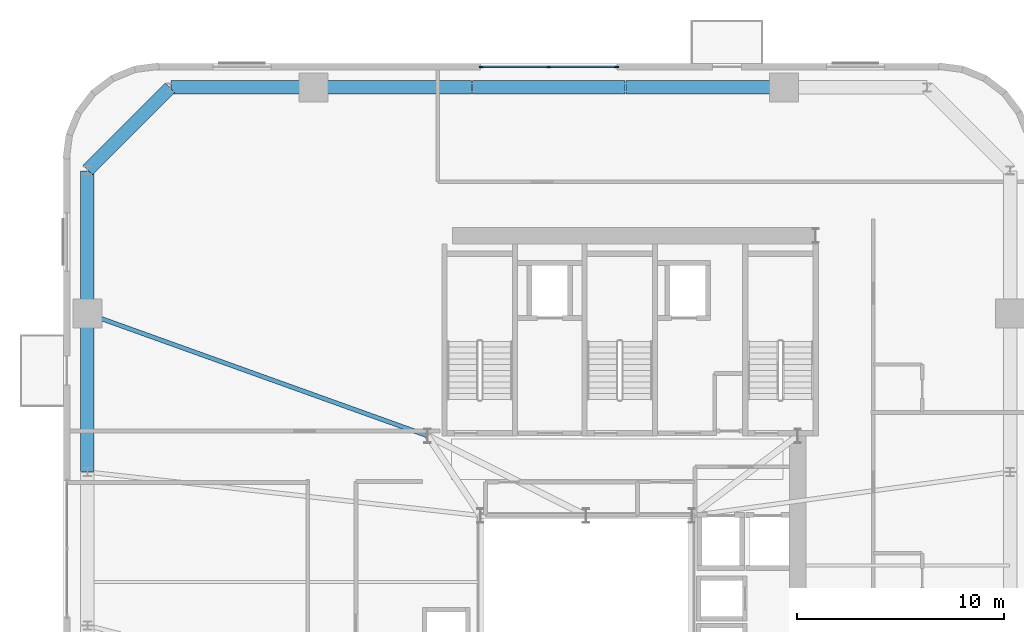
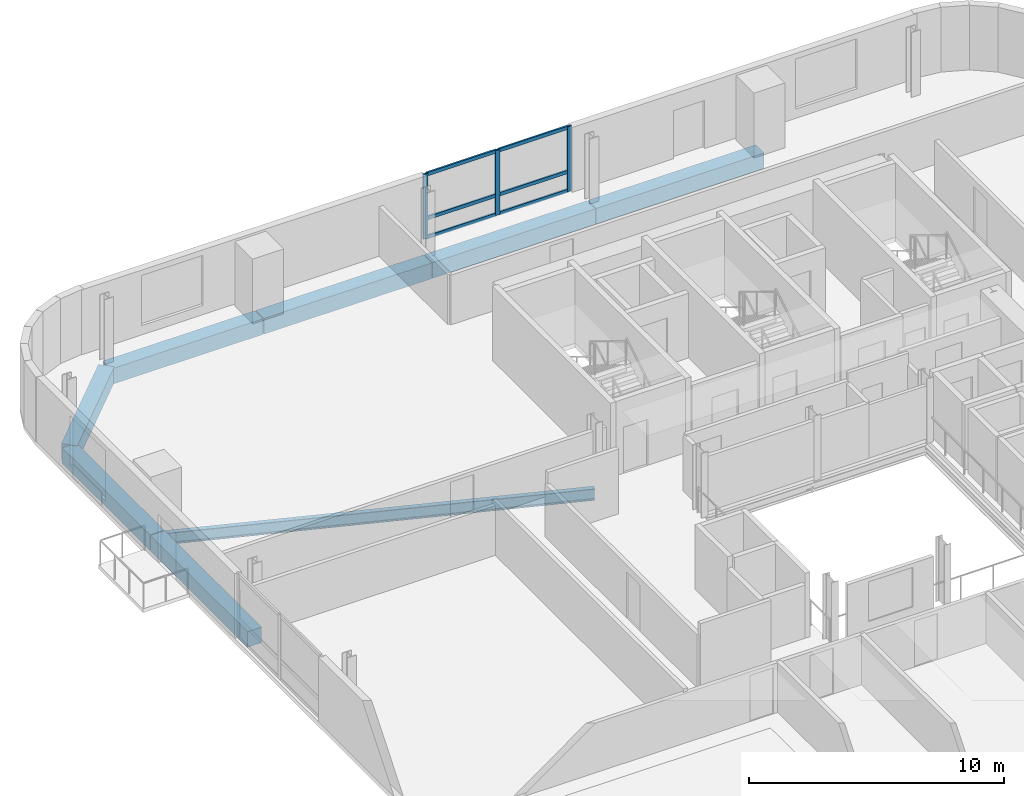
# One storey, part 5 of 13: 9 members, 8 beams, 1 element without a shape of its own.
"""IFC4 building model written with IfcOpenShell, lengths in metres."""

from ifc_helpers import new_model, si_unit, direction, frame, origin, origin_2d, place, context, subcontext, project, spatial, rectangle, i_section, extrude, source, transform, mapped, material, material_profile, profile_set, type_object, element, aggregate, save


model = new_model("IFC4")

# Units and contexts
model_context = context("Model", 3, precision=1e-05, world=origin(), true_north=direction((0.0, 1.0)))
body_context = subcontext(model_context, "Body", "Model", "MODEL_VIEW")
ifc_project = project(units=[si_unit("LENGTHUNIT", "METRE"), si_unit("AREAUNIT", "SQUARE_METRE"), si_unit("VOLUMEUNIT", "CUBIC_METRE"), si_unit("PLANEANGLEUNIT", "RADIAN"), si_unit("MASSUNIT", "GRAM", prefix="KILO")], contexts=[model_context])

# Site, building, storey
site_placement = place(None, origin())
site = spatial("IfcSite", under=ifc_project, at=site_placement, CompositionType="ELEMENT")
building_placement = place(site_placement, origin())
building = spatial("IfcBuilding", under=site, at=building_placement, Name="Vardaveli Station Tower", CompositionType="ELEMENT")
storey_placement = place(building_placement, frame((0.0, 0.0, 233.550048828125)))
storey = spatial("IfcBuildingStorey", under=building, at=storey_placement, Name="L60", CompositionType="ELEMENT", Elevation=233.550048828125)

# Beams
ifc_material_1 = material(Name="Precast concrete C45/55", Category="concrete")
ifc_material_profile_1 = material_profile(ifc_material_1, rectangle(XDim=0.64990234375, YDim=0.75, at=origin_2d()), Name="LPB 650x750")
ifc_profile_set_1 = profile_set([ifc_material_profile_1], Name="Precast concrete C45/55")
beam_type_1 = type_object("IfcBeamType", Name="BM-LPB-750", PredefinedType="BEAM", material=ifc_profile_set_1)
shared_shape_1 = source(origin(), body_context, "Body", "SweptSolid", [
    extrude(rectangle(XDim=0.64990234375, YDim=0.75, at=origin_2d()), origin(), (0.0, 0.0, 1.0), 7.60009765625),
])
for number, where, z_axis, x_axis, name in (
    (1, (45.820068359375, 47.449951171875, -0.594970703125), (-1.0, 0.0, 0.0), (0.0, -1.0, 0.0), "RBM-L60-13"),
    (2, (30.780029296875, 47.449951171875, -0.594970703125), (-1.0, 0.0, 0.0), (0.0, -1.0, 0.0), "RBM-L60-15"),
    (3, (12.25, 36.52001953125, -0.594970703125), (0.0, -1.0, 0.0), (1.0, 0.0, 0.0), "RBM-L60-19"),
):
    element("IfcBeam", number, at=place(storey_placement, frame(where, z_axis=z_axis, x_axis=x_axis)), inside=storey, type_object=beam_type_1, Name=name, PredefinedType="BEAM", context=body_context, shape_type="MappedRepresentation", body=[
        mapped(shared_shape_1, transform((0.0, 0.0, 0.0), scale=1.0)),
    ])
shared_shape_2 = source(origin(), body_context, "Body", "SweptSolid", [
    extrude(rectangle(XDim=0.64990234375, YDim=0.75, at=origin_2d()), origin(), (0.0, 0.0, 1.0), 7.35986328125),
])
beam_1_placement = place(storey_placement, frame((38.179931640625, 47.449951171875, -0.594970703125), z_axis=(-1.0, 0.0, 0.0), x_axis=(0.0, -1.0, 0.0)))
element("IfcBeam", 4, at=beam_1_placement, inside=storey, type_object=beam_type_1, Name="RBM-L60-14", PredefinedType="BEAM", context=body_context, shape_type="MappedRepresentation", body=[
    mapped(shared_shape_2, transform((0.0, 0.0, 0.0), scale=1.0)),
])
shared_shape_3 = source(origin(), body_context, "Body", "SweptSolid", [
    extrude(rectangle(XDim=0.64990234375, YDim=0.75, at=origin_2d()), origin(), (0.0, 0.0, 1.0), 6.869873046875),
])
for number, where, z_axis, x_axis, name in (
    (5, (23.139892578125, 47.449951171875, -0.594970703125), (-1.0, 0.0, 0.0), (0.0, -1.0, 0.0), "RBM-L60-16"),
    (6, (12.25, 43.429931640625, -0.594970703125), (0.0, -1.0, 0.0), (1.0, 0.0, 0.0), "RBM-L60-18"),
):
    element("IfcBeam", number, at=place(storey_placement, frame(where, z_axis=z_axis, x_axis=x_axis)), inside=storey, type_object=beam_type_1, Name=name, PredefinedType="BEAM", context=body_context, shape_type="MappedRepresentation", body=[
        mapped(shared_shape_3, transform((0.0, 0.0, 0.0), scale=1.0)),
    ])
shared_shape_4 = source(origin(), body_context, "Body", "SweptSolid", [
    extrude(rectangle(XDim=0.64990234375, YDim=0.75, at=origin_2d()), origin(), (0.0, 0.0, 1.0), 5.61669921875),
])
beam_2_placement = place(storey_placement, frame((16.23583984375, 47.435791015625, -0.594970703125), z_axis=(-0.707106781187, -0.707106781187, 0.0), x_axis=(0.707106781187, -0.707106781187, 0.0)))
element("IfcBeam", 7, at=beam_2_placement, inside=storey, type_object=beam_type_1, Name="RBM-L60-17", PredefinedType="BEAM", context=body_context, shape_type="MappedRepresentation", body=[
    mapped(shared_shape_4, transform((0.0, 0.0, 0.0), scale=1.0)),
])
ifc_material_2 = material(Name="Structural steel S355J2", Category="steel")
ifc_material_profile_2 = material_profile(ifc_material_2, i_section(OverallWidth=0.2099609375, OverallDepth=0.550048828125, WebThickness=0.010986328125, FlangeThickness=0.01708984375, FilletRadius=0.02392578125, at=origin_2d()), Name="IPE 550")
ifc_profile_set_2 = profile_set([ifc_material_profile_2], Name="Structural steel S355J2")
beam_type_2 = type_object("IfcBeamType", Name="BM-IPE550", PredefinedType="BEAM", material=ifc_profile_set_2)
shared_shape_5 = source(origin(), body_context, "Body", "SweptSolid", [
    extrude(i_section(OverallWidth=0.2099609375, OverallDepth=0.550048828125, WebThickness=0.010986328125, FlangeThickness=0.01708984375, FilletRadius=0.02392578125, at=origin_2d()), origin(), (0.0, 0.0, 1.0), 17.385498046875),
])
beam_3_placement = place(storey_placement, frame((12.268798828125, 36.533203125, -0.4951171875), z_axis=(0.941143134401, -0.338008284766, 0.0), x_axis=(0.338008284766, 0.941143134401, 0.0)))
element("IfcBeam", 8, at=beam_3_placement, inside=storey, type_object=beam_type_2, Name="GBM-L60-12", PredefinedType="BEAM", context=body_context, shape_type="MappedRepresentation", body=[
    mapped(shared_shape_5, transform((0.0, 0.0, 0.0), scale=1.0)),
])

# Curtain wall, members
ifc_material_3 = material(Name="Travertine stone and solar-control glass", Category="masonry")
curtain_wall_type = type_object("IfcCurtainWallType", Name="CW-SYS-5", PredefinedType="NOTDEFINED", material=ifc_material_3)
curtain_wall_placement = place(storey_placement, origin())
curtain_wall = element("IfcCurtainWall", 9, at=curtain_wall_placement, inside=storey, type_object=curtain_wall_type, Name="CW-L60-N", PredefinedType="NOTDEFINED")
ifc_material_4 = material(Name="Anodised aluminium alloy 6063-T6", Category="aluminium")
ifc_material_profile_3 = material_profile(ifc_material_4, rectangle(XDim=0.080078125, YDim=0.1650390625, at=origin_2d()), Name="CWT 80x165")
ifc_profile_set_3 = profile_set([ifc_material_profile_3], Name="Anodised aluminium alloy 6063-T6")
member_type_1 = type_object("IfcMemberType", Name="CW-SYS-5-TRAN", PredefinedType="NOTDEFINED", material=ifc_profile_set_3)
shared_shape_6 = source(origin(), body_context, "Body", "SweptSolid", [
    extrude(rectangle(XDim=0.080078125, YDim=0.1650390625, at=origin_2d()), origin(), (0.0, 0.0, 1.0), 3.179931640625),
])
member_1_placement = place(storey_placement, frame((37.719970703125, 48.43994140625, 0.0400390625), z_axis=(-1.0, 0.0, 0.0), x_axis=(0.0, -1.0, 0.0)))
member_1 = element("IfcMember", 10, at=member_1_placement, type_object=member_type_1, Name="CW-5 transom 1.1", ObjectType="TRANSOM", PredefinedType="USERDEFINED", context=body_context, shape_type="MappedRepresentation", body=[
    mapped(shared_shape_6, transform((0.0, 0.0, 0.0), scale=1.0)),
])
member_2_placement = place(storey_placement, frame((37.719970703125, 48.43994140625, 0.949951171875), z_axis=(-1.0, 0.0, 0.0), x_axis=(0.0, -1.0, 0.0)))
member_2 = element("IfcMember", 11, at=member_2_placement, type_object=member_type_1, Name="CW-5 transom 1.2", ObjectType="TRANSOM", PredefinedType="USERDEFINED", context=body_context, shape_type="MappedRepresentation", body=[
    mapped(shared_shape_6, transform((0.0, 0.0, 0.0), scale=1.0)),
])
member_3_placement = place(storey_placement, frame((37.719970703125, 48.43994140625, 3.06005859375), z_axis=(-1.0, 0.0, 0.0), x_axis=(0.0, -1.0, 0.0)))
member_3 = element("IfcMember", 12, at=member_3_placement, type_object=member_type_1, Name="CW-5 transom 1.3", ObjectType="TRANSOM", PredefinedType="USERDEFINED", context=body_context, shape_type="MappedRepresentation", body=[
    mapped(shared_shape_6, transform((0.0, 0.0, 0.0), scale=1.0)),
])
member_4_placement = place(storey_placement, frame((34.4599609375, 48.43994140625, 0.0400390625), z_axis=(-1.0, 0.0, 0.0), x_axis=(0.0, -1.0, 0.0)))
member_4 = element("IfcMember", 13, at=member_4_placement, type_object=member_type_1, Name="CW-5 transom 2.1", ObjectType="TRANSOM", PredefinedType="USERDEFINED", context=body_context, shape_type="MappedRepresentation", body=[
    mapped(shared_shape_6, transform((0.0, 0.0, 0.0), scale=1.0)),
])
member_5_placement = place(storey_placement, frame((34.4599609375, 48.43994140625, 0.949951171875), z_axis=(-1.0, 0.0, 0.0), x_axis=(0.0, -1.0, 0.0)))
member_5 = element("IfcMember", 14, at=member_5_placement, type_object=member_type_1, Name="CW-5 transom 2.2", ObjectType="TRANSOM", PredefinedType="USERDEFINED", context=body_context, shape_type="MappedRepresentation", body=[
    mapped(shared_shape_6, transform((0.0, 0.0, 0.0), scale=1.0)),
])
member_6_placement = place(storey_placement, frame((34.4599609375, 48.43994140625, 3.06005859375), z_axis=(-1.0, 0.0, 0.0), x_axis=(0.0, -1.0, 0.0)))
member_6 = element("IfcMember", 15, at=member_6_placement, type_object=member_type_1, Name="CW-5 transom 2.3", ObjectType="TRANSOM", PredefinedType="USERDEFINED", context=body_context, shape_type="MappedRepresentation", body=[
    mapped(shared_shape_6, transform((0.0, 0.0, 0.0), scale=1.0)),
])
ifc_material_profile_4 = material_profile(ifc_material_4, rectangle(XDim=0.080078125, YDim=0.205078125, at=origin_2d()), Name="CWM 80x205")
ifc_profile_set_4 = profile_set([ifc_material_profile_4], Name="Anodised aluminium alloy 6063-T6")
member_type_2 = type_object("IfcMemberType", Name="CW-SYS-5-MULL", PredefinedType="MULLION", material=ifc_profile_set_4)
shared_shape_7 = source(origin(), body_context, "Body", "SweptSolid", [
    extrude(rectangle(XDim=0.080078125, YDim=0.205078125, at=origin_2d()), origin(), (0.0, 0.0, 1.0), 3.099853515625),
])
member_7_placement = place(storey_placement, frame((37.760009765625, 48.43994140625, 0.0), z_axis=(0.0, 0.0, 1.0), x_axis=(0.0, -1.0, 0.0)))
member_7 = element("IfcMember", 16, at=member_7_placement, type_object=member_type_2, Name="CW-5 mullion 1", PredefinedType="MULLION", context=body_context, shape_type="MappedRepresentation", body=[
    mapped(shared_shape_7, transform((0.0, 0.0, 0.0), scale=1.0)),
])
member_8_placement = place(storey_placement, frame((34.5, 48.43994140625, 0.0), z_axis=(0.0, 0.0, 1.0), x_axis=(0.0, -1.0, 0.0)))
member_8 = element("IfcMember", 17, at=member_8_placement, type_object=member_type_2, Name="CW-5 mullion 2", PredefinedType="MULLION", context=body_context, shape_type="MappedRepresentation", body=[
    mapped(shared_shape_7, transform((0.0, 0.0, 0.0), scale=1.0)),
])
member_9_placement = place(storey_placement, frame((31.239990234375, 48.43994140625, 0.0), z_axis=(0.0, 0.0, 1.0), x_axis=(0.0, -1.0, 0.0)))
member_9 = element("IfcMember", 18, at=member_9_placement, type_object=member_type_2, Name="CW-5 mullion 3", PredefinedType="MULLION", context=body_context, shape_type="MappedRepresentation", body=[
    mapped(shared_shape_7, transform((0.0, 0.0, 0.0), scale=1.0)),
])
aggregate(curtain_wall, [member_7, member_8, member_9, member_1, member_2, member_3, member_4, member_5, member_6])

save(model, "model.ifc")
